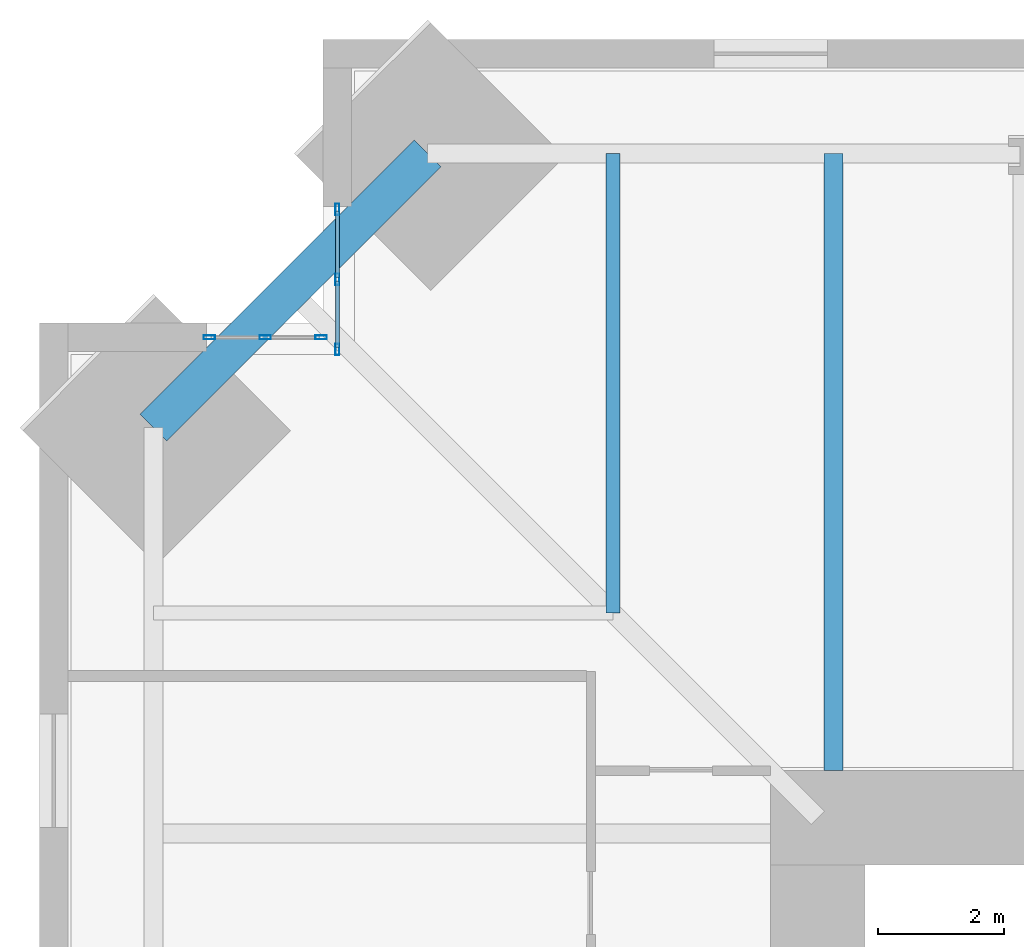
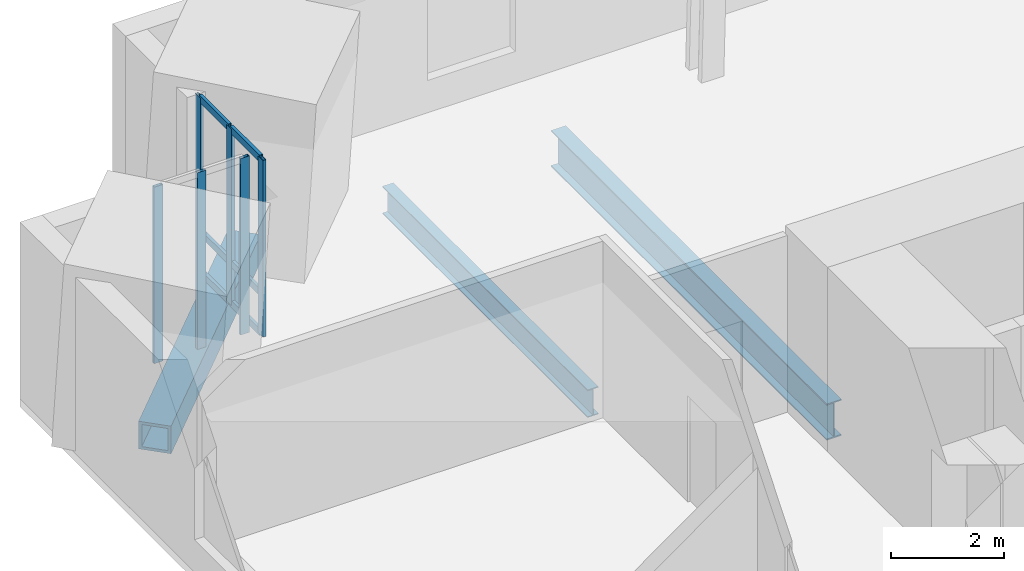
# One storey, part 6 of 15: 12 members, 3 beams, 2 elements without a shape of their own.
"""IFC4 building model written with IfcOpenShell, lengths in metres."""

from ifc_helpers import new_model, si_unit, direction, frame, origin, origin_2d, place, context, subcontext, project, spatial, hollow_rectangle, i_section, extrude, material, material_profile, profile_set, type_object, element, aggregate, save


model = new_model("IFC4")

# Units and contexts
model_context = context("Model", 3, precision=1e-05, world=origin(), true_north=direction((0.0, 1.0)))
body_context = subcontext(model_context, "Body", "Model", "MODEL_VIEW")
ifc_project = project(units=[si_unit("LENGTHUNIT", "METRE"), si_unit("AREAUNIT", "SQUARE_METRE"), si_unit("VOLUMEUNIT", "CUBIC_METRE"), si_unit("PLANEANGLEUNIT", "RADIAN"), si_unit("MASSUNIT", "GRAM", prefix="KILO")], contexts=[model_context])

# Site, building, storey
site_placement = place(None, origin())
site = spatial("IfcSite", under=ifc_project, at=site_placement, CompositionType="ELEMENT")
building_placement = place(site_placement, origin())
building = spatial("IfcBuilding", under=site, at=building_placement, Name="Peilmerk Tower", CompositionType="ELEMENT")
storey_placement = place(building_placement, frame((0.0, 0.0, 225.800048828125)))
storey = spatial("IfcBuildingStorey", under=building, at=storey_placement, Name="L49", CompositionType="ELEMENT", Elevation=225.800048828125)

# Beams
ifc_material_1 = material(Name="Steel S355", Category="steel")
ifc_material_profile_1 = material_profile(ifc_material_1, i_section(OverallWidth=0.219970703125, OverallDepth=0.60009765625, WebThickness=0.011962890625, FlangeThickness=0.01904296875, at=origin_2d()), Name="IPE 600")
ifc_profile_set_1 = profile_set([ifc_material_profile_1], Name="Steel S355")
beam_type_1 = type_object("IfcBeamType", Name="B10 IPE 600 floor beam", PredefinedType="BEAM", material=ifc_profile_set_1)
beam_1_placement = place(storey_placement, frame((-14.5, 14.5, -0.469970703125), z_axis=(0.0, 1.0, 0.0), x_axis=(-1.0, 0.0, 0.0)))
element("IfcBeam", 1, at=beam_1_placement, inside=storey, type_object=beam_type_1, Name="Floor beam L49", PredefinedType="BEAM", context=body_context, shape_type="SweptSolid", body=[
    extrude(i_section(OverallWidth=0.219970703125, OverallDepth=0.60009765625, WebThickness=0.011962890625, FlangeThickness=0.01904296875, at=origin_2d()), origin(), (0.0, 0.0, 1.0), 7.2919921875),
])
ifc_material_2 = material(Name="Steel S460", Category="steel")
ifc_material_profile_2 = material_profile(ifc_material_2, hollow_rectangle(XDim=0.60009765625, YDim=0.60009765625, WallThickness=0.06005859375, at=origin_2d()), Name="BOX 600x600x60")
ifc_profile_set_2 = profile_set([ifc_material_profile_2], Name="Steel S460")
beam_type_2 = type_object("IfcBeamType", Name="B20 BOX 600x600x60 notch beam", PredefinedType="SPANDREL", material=ifc_profile_set_2)
beam_2_placement = place(storey_placement, frame((-21.7919921875, 17.44189453125, -0.469970703125), z_axis=(0.707106781187, 0.707106781187, 0.0), x_axis=(-0.707106781187, 0.707106781187, 0.0)))
element("IfcBeam", 2, at=beam_2_placement, inside=storey, type_object=beam_type_2, Name="Notch beam L49", PredefinedType="SPANDREL", context=body_context, shape_type="SweptSolid", body=[
    extrude(hollow_rectangle(XDim=0.60009765625, YDim=0.60009765625, WallThickness=0.06005859375, at=origin_2d()), origin(), (0.0, 0.0, 1.0), 6.15185546875),
])
ifc_material_profile_3 = material_profile(ifc_material_1, i_section(OverallWidth=0.300048828125, OverallDepth=0.7900390625, WebThickness=0.014892578125, FlangeThickness=0.028076171875, at=origin_2d()), Name="HEA 800")
ifc_profile_set_3 = profile_set([ifc_material_profile_3], Name="Steel S355")
beam_type_3 = type_object("IfcBeamType", Name="B3 HEA 800 floor beam", PredefinedType="BEAM", material=ifc_profile_set_3)
beam_3_placement = place(storey_placement, frame((-11.0, 12.0, -0.56494140625), z_axis=(0.0, 1.0, 0.0), x_axis=(-1.0, 0.0, 0.0)))
element("IfcBeam", 3, at=beam_3_placement, inside=storey, type_object=beam_type_3, Name="Floor beam L49", PredefinedType="BEAM", context=body_context, shape_type="SweptSolid", body=[
    extrude(i_section(OverallWidth=0.300048828125, OverallDepth=0.7900390625, WebThickness=0.014892578125, FlangeThickness=0.028076171875, at=origin_2d()), origin(), (0.0, 0.0, 1.0), 9.7919921875),
])

# Curtain wall, members
ifc_material_3 = material(Name="Aluminium stick curtain wall", Category="aluminium")
curtain_wall_type = type_object("IfcCurtainWallType", Name="CW4 stick curtain wall, 2250 module", PredefinedType="NOTDEFINED", material=ifc_material_3)
curtain_wall_1_placement = place(storey_placement, origin())
curtain_wall_1 = element("IfcCurtainWall", 4, at=curtain_wall_1_placement, inside=storey, type_object=curtain_wall_type, Name="Curtain wall CW4 NWA L49", PredefinedType="NOTDEFINED")
ifc_material_4 = material(Name="Aluminium EN AW-6063 T6", Category="aluminium")
ifc_material_profile_4 = material_profile(ifc_material_4, hollow_rectangle(XDim=0.06494140625, YDim=0.179931640625, WallThickness=0.0029296875, at=origin_2d()), Name="AL 180x65x3")
ifc_profile_set_4 = profile_set([ifc_material_profile_4], Name="Aluminium EN AW-6063 T6")
member_type_1 = type_object("IfcMemberType", Name="CW4-M AL 180x65x3 mullion", PredefinedType="MULLION", material=ifc_profile_set_4)
member_1_placement = place(storey_placement, frame((-18.875, 18.6826171875, 0.0), z_axis=(0.0, 0.0, 1.0), x_axis=(-1.0, 0.0, 0.0)))
member_1 = element("IfcMember", 5, at=member_1_placement, type_object=member_type_1, Name="CW4 mullion 1", PredefinedType="MULLION", context=body_context, shape_type="SweptSolid", body=[
    extrude(hollow_rectangle(XDim=0.06494140625, YDim=0.179931640625, WallThickness=0.0029296875, at=origin_2d()), origin(), (0.0, 0.0, 1.0), 3.829833984375),
])
member_2_placement = place(storey_placement, frame((-18.875, 19.79443359375, 0.0), z_axis=(0.0, 0.0, 1.0), x_axis=(-1.0, 0.0, 0.0)))
member_2 = element("IfcMember", 6, at=member_2_placement, type_object=member_type_1, Name="CW4 mullion 2", PredefinedType="MULLION", context=body_context, shape_type="SweptSolid", body=[
    extrude(hollow_rectangle(XDim=0.06494140625, YDim=0.179931640625, WallThickness=0.0029296875, at=origin_2d()), origin(), (0.0, 0.0, 1.0), 3.829833984375),
])
member_3_placement = place(storey_placement, frame((-18.875, 20.90625, 0.0), z_axis=(0.0, 0.0, 1.0), x_axis=(-1.0, 0.0, 0.0)))
member_3 = element("IfcMember", 7, at=member_3_placement, type_object=member_type_1, Name="CW4 mullion 3", PredefinedType="MULLION", context=body_context, shape_type="SweptSolid", body=[
    extrude(hollow_rectangle(XDim=0.06494140625, YDim=0.179931640625, WallThickness=0.0029296875, at=origin_2d()), origin(), (0.0, 0.0, 1.0), 3.829833984375),
])

curtain_wall_2_placement = place(storey_placement, origin())
curtain_wall_2 = element("IfcCurtainWall", 8, at=curtain_wall_2_placement, inside=storey, type_object=curtain_wall_type, Name="Curtain wall CW4 NWB L49", PredefinedType="NOTDEFINED")
member_4_placement = place(storey_placement, frame((-19.132568359375, 18.875, 0.0), z_axis=(0.0, 0.0, 1.0), x_axis=(0.0, -1.0, 0.0)))
member_4 = element("IfcMember", 9, at=member_4_placement, type_object=member_type_1, Name="CW4 mullion 1", PredefinedType="MULLION", context=body_context, shape_type="SweptSolid", body=[
    extrude(hollow_rectangle(XDim=0.06494140625, YDim=0.179931640625, WallThickness=0.0029296875, at=origin_2d()), origin(), (0.0, 0.0, 1.0), 3.829833984375),
])
member_5_placement = place(storey_placement, frame((-20.019287109375, 18.875, 0.0), z_axis=(0.0, 0.0, 1.0), x_axis=(0.0, -1.0, 0.0)))
member_5 = element("IfcMember", 10, at=member_5_placement, type_object=member_type_1, Name="CW4 mullion 2", PredefinedType="MULLION", context=body_context, shape_type="SweptSolid", body=[
    extrude(hollow_rectangle(XDim=0.06494140625, YDim=0.179931640625, WallThickness=0.0029296875, at=origin_2d()), origin(), (0.0, 0.0, 1.0), 3.829833984375),
])
member_6_placement = place(storey_placement, frame((-20.90625, 18.875, 0.0), z_axis=(0.0, 0.0, 1.0), x_axis=(0.0, -1.0, 0.0)))
member_6 = element("IfcMember", 11, at=member_6_placement, type_object=member_type_1, Name="CW4 mullion 3", PredefinedType="MULLION", context=body_context, shape_type="SweptSolid", body=[
    extrude(hollow_rectangle(XDim=0.06494140625, YDim=0.179931640625, WallThickness=0.0029296875, at=origin_2d()), origin(), (0.0, 0.0, 1.0), 3.829833984375),
])
aggregate(curtain_wall_2, [member_4, member_5, member_6])

# Member
ifc_material_profile_5 = material_profile(ifc_material_4, hollow_rectangle(XDim=0.06494140625, YDim=0.14990234375, WallThickness=0.0029296875, at=origin_2d()), Name="AL 150x65x3")
ifc_profile_set_5 = profile_set([ifc_material_profile_5], Name="Aluminium EN AW-6063 T6")
member_type_2 = type_object("IfcMemberType", Name="CW4-T AL 150x65x3 transom", PredefinedType="USERDEFINED", material=ifc_profile_set_5)
member_7_placement = place(storey_placement, frame((-18.875, 18.715087890625, 0.032470703125), z_axis=(0.0, 1.0, 0.0), x_axis=(-1.0, 0.0, 0.0)))
member_7 = element("IfcMember", 12, at=member_7_placement, type_object=member_type_2, Name="CW4 transom 1.1", ObjectType="TRANSOM", PredefinedType="USERDEFINED", context=body_context, shape_type="SweptSolid", body=[
    extrude(hollow_rectangle(XDim=0.06494140625, YDim=0.14990234375, WallThickness=0.0029296875, at=origin_2d()), origin(), (0.0, 0.0, 1.0), 1.046630859375),
])

member_8_placement = place(storey_placement, frame((-18.875, 18.715087890625, 0.89990234375), z_axis=(0.0, 1.0, 0.0), x_axis=(-1.0, 0.0, 0.0)))
member_8 = element("IfcMember", 13, at=member_8_placement, type_object=member_type_2, Name="CW4 transom 1.2", ObjectType="TRANSOM", PredefinedType="USERDEFINED", context=body_context, shape_type="SweptSolid", body=[
    extrude(hollow_rectangle(XDim=0.06494140625, YDim=0.14990234375, WallThickness=0.0029296875, at=origin_2d()), origin(), (0.0, 0.0, 1.0), 1.046630859375),
])

member_9_placement = place(storey_placement, frame((-18.875, 18.715087890625, 3.79736328125), z_axis=(0.0, 1.0, 0.0), x_axis=(-1.0, 0.0, 0.0)))
member_9 = element("IfcMember", 14, at=member_9_placement, type_object=member_type_2, Name="CW4 transom 1.3", ObjectType="TRANSOM", PredefinedType="USERDEFINED", context=body_context, shape_type="SweptSolid", body=[
    extrude(hollow_rectangle(XDim=0.06494140625, YDim=0.14990234375, WallThickness=0.0029296875, at=origin_2d()), origin(), (0.0, 0.0, 1.0), 1.046630859375),
])

member_10_placement = place(storey_placement, frame((-18.875, 19.826904296875, 0.032470703125), z_axis=(0.0, 1.0, 0.0), x_axis=(-1.0, 0.0, 0.0)))
member_10 = element("IfcMember", 15, at=member_10_placement, type_object=member_type_2, Name="CW4 transom 2.1", ObjectType="TRANSOM", PredefinedType="USERDEFINED", context=body_context, shape_type="SweptSolid", body=[
    extrude(hollow_rectangle(XDim=0.06494140625, YDim=0.14990234375, WallThickness=0.0029296875, at=origin_2d()), origin(), (0.0, 0.0, 1.0), 1.046875),
])

member_11_placement = place(storey_placement, frame((-18.875, 19.826904296875, 0.89990234375), z_axis=(0.0, 1.0, 0.0), x_axis=(-1.0, 0.0, 0.0)))
member_11 = element("IfcMember", 16, at=member_11_placement, type_object=member_type_2, Name="CW4 transom 2.2", ObjectType="TRANSOM", PredefinedType="USERDEFINED", context=body_context, shape_type="SweptSolid", body=[
    extrude(hollow_rectangle(XDim=0.06494140625, YDim=0.14990234375, WallThickness=0.0029296875, at=origin_2d()), origin(), (0.0, 0.0, 1.0), 1.046875),
])

member_12_placement = place(storey_placement, frame((-18.875, 19.826904296875, 3.79736328125), z_axis=(0.0, 1.0, 0.0), x_axis=(-1.0, 0.0, 0.0)))
member_12 = element("IfcMember", 17, at=member_12_placement, type_object=member_type_2, Name="CW4 transom 2.3", ObjectType="TRANSOM", PredefinedType="USERDEFINED", context=body_context, shape_type="SweptSolid", body=[
    extrude(hollow_rectangle(XDim=0.06494140625, YDim=0.14990234375, WallThickness=0.0029296875, at=origin_2d()), origin(), (0.0, 0.0, 1.0), 1.046875),
])

aggregate(curtain_wall_1, [member_1, member_2, member_3, member_7, member_8, member_9, member_10, member_11, member_12])

save(model, "model.ifc")
